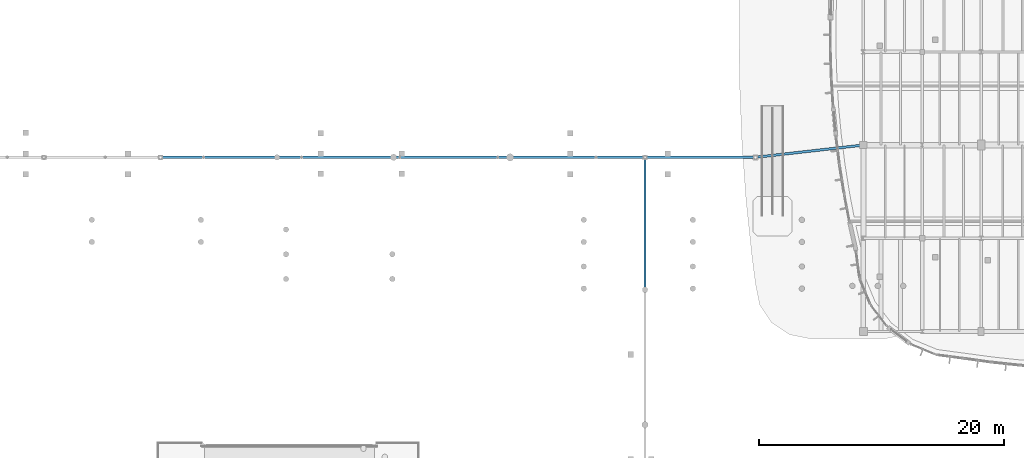
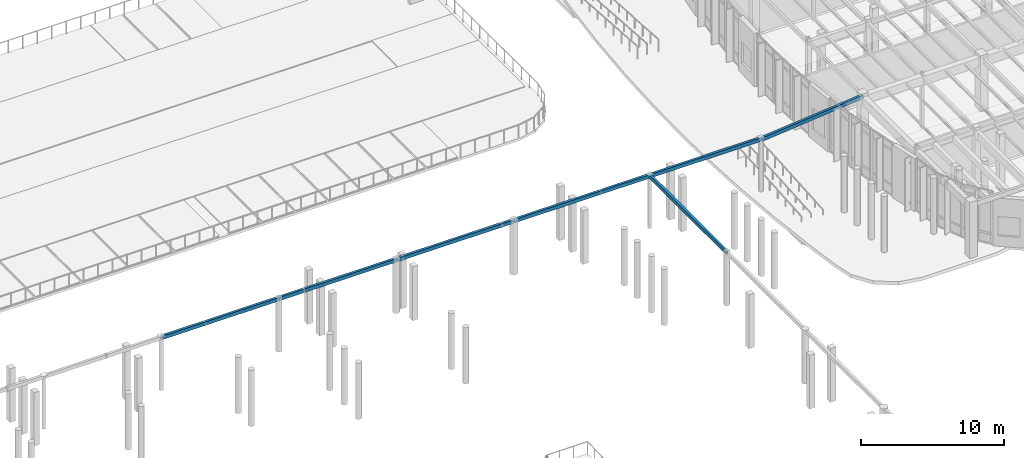
# One storey, part 50 of 120: 7 beams.
"""IFC4 building model written with IfcOpenShell, lengths in metres."""

from ifc_helpers import new_model, si_unit, direction, frame, origin, origin_2d, place, context, subcontext, project, spatial, hollow_rectangle, extrude, material, material_profile, profile_set, type_object, element, save


model = new_model("IFC4")

# Units and contexts
model_context = context("Model", 3, precision=1e-05, world=origin(), true_north=direction((0.0, 1.0)))
body_context = subcontext(model_context, "Body", "Model", "MODEL_VIEW")
ifc_project = project(units=[si_unit("LENGTHUNIT", "METRE"), si_unit("AREAUNIT", "SQUARE_METRE"), si_unit("VOLUMEUNIT", "CUBIC_METRE"), si_unit("PLANEANGLEUNIT", "RADIAN"), si_unit("MASSUNIT", "GRAM", prefix="KILO")], contexts=[model_context])

# Site, building, storey
site_placement = place(None, origin())
site = spatial("IfcSite", under=ifc_project, at=site_placement, CompositionType="ELEMENT")
building_placement = place(site_placement, origin())
building = spatial("IfcBuilding", under=site, at=building_placement, Name="Corveleigh Park Community Centre", CompositionType="ELEMENT")
storey_placement = place(building_placement, origin())
storey = spatial("IfcBuildingStorey", under=building, at=storey_placement, Name="L00", CompositionType="ELEMENT", Elevation=0.0)

# Beams
ifc_material = material(Name="Steel S355", Category="steel")
ifc_material_profile = material_profile(ifc_material, hollow_rectangle(XDim=0.199951171875, YDim=0.300048828125, WallThickness=0.012451171875, at=origin_2d()), Name="RHS 300x200x12.5", Category="steel")
ifc_profile_set = profile_set([ifc_material_profile], Name="Steel S355")
beam_type = type_object("IfcBeamType", Name="SP-STL-RHS300x200", PredefinedType="SPANDREL", material=ifc_profile_set)
for number, where, z_axis, x_axis, name in (
    (1, (72.5048828125, 72.800048828125, 4.429931640625), (1.0, 0.0, 0.0), (0.0, 1.0, 0.0), "Covered Passage Canopy Girder"),
    (2, (82.0048828125, 72.800048828125, 4.429931640625), (1.0, 0.0, 0.0), (0.0, 1.0, 0.0), "Covered Passage Canopy Girder"),
    (3, (91.5048828125, 72.800048828125, 4.429931640625), (1.0, 0.0, 0.0), (0.0, 1.0, 0.0), "Covered Passage Canopy Girder"),
):
    element("IfcBeam", number, at=place(storey_placement, frame(where, z_axis=z_axis, x_axis=x_axis)), inside=storey, type_object=beam_type, Name=name, PredefinedType="SPANDREL", context=body_context, shape_type="SweptSolid", body=[
        extrude(hollow_rectangle(XDim=0.199951171875, YDim=0.300048828125, WallThickness=0.012451171875, at=origin_2d()), origin(), (0.0, 0.0, 1.0), 9.490234375),
    ])
beam_1_placement = place(storey_placement, frame((101.0048828125, 72.800048828125, 4.429931640625), z_axis=(1.0, 0.0, 0.0), x_axis=(0.0, 1.0, 0.0)))
element("IfcBeam", 4, at=beam_1_placement, inside=storey, type_object=beam_type, Name="Covered Passage Canopy Girder", PredefinedType="SPANDREL", context=body_context, shape_type="SweptSolid", body=[
    extrude(hollow_rectangle(XDim=0.199951171875, YDim=0.300048828125, WallThickness=0.012451171875, at=origin_2d()), origin(), (0.0, 0.0, 1.0), 10.990234375),
])
beam_2_placement = place(storey_placement, frame((112.0048828125, 72.800048828125, 4.429931640625), z_axis=(1.0, 0.0, 0.0), x_axis=(0.0, 1.0, 0.0)))
element("IfcBeam", 5, at=beam_2_placement, inside=storey, type_object=beam_type, Name="Covered Passage Canopy Girder", PredefinedType="SPANDREL", context=body_context, shape_type="SweptSolid", body=[
    extrude(hollow_rectangle(XDim=0.199951171875, YDim=0.300048828125, WallThickness=0.012451171875, at=origin_2d()), origin(), (0.0, 0.0, 1.0), 8.990234375),
])
beam_3_placement = place(storey_placement, frame((121.0048828125, 72.800537109375, 4.386962890625), z_axis=(0.993606380579, 0.112899780662, 0.0), x_axis=(-0.112899780662, 0.993606380579, 0.0)))
element("IfcBeam", 6, at=beam_3_placement, inside=storey, type_object=beam_type, Name="Covered Passage Canopy Girder", PredefinedType="SPANDREL", context=body_context, shape_type="SweptSolid", body=[
    extrude(hollow_rectangle(XDim=0.199951171875, YDim=0.300048828125, WallThickness=0.012451171875, at=origin_2d()), origin(), (0.0, 0.0, 1.0), 8.8466796875),
])
beam_4_placement = place(storey_placement, frame((112.0, 72.794921875, 4.429931640625), z_axis=(0.0, -1.0, 0.0), x_axis=(1.0, 0.0, 0.0)))
element("IfcBeam", 7, at=beam_4_placement, inside=storey, type_object=beam_type, Name="Covered Passage Canopy Girder", PredefinedType="SPANDREL", context=body_context, shape_type="SweptSolid", body=[
    extrude(hollow_rectangle(XDim=0.199951171875, YDim=0.300048828125, WallThickness=0.012451171875, at=origin_2d()), origin(), (0.0, 0.0, 1.0), 10.7900390625),
])

save(model, "model.ifc")
